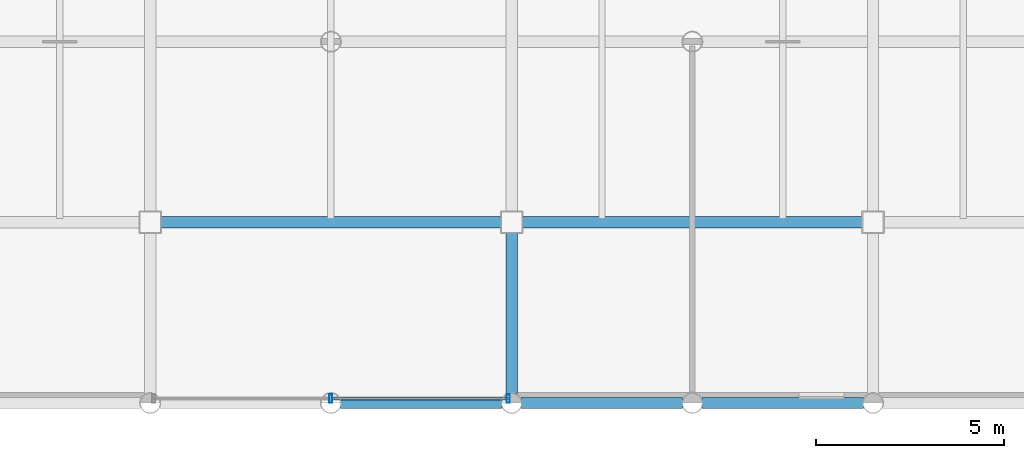
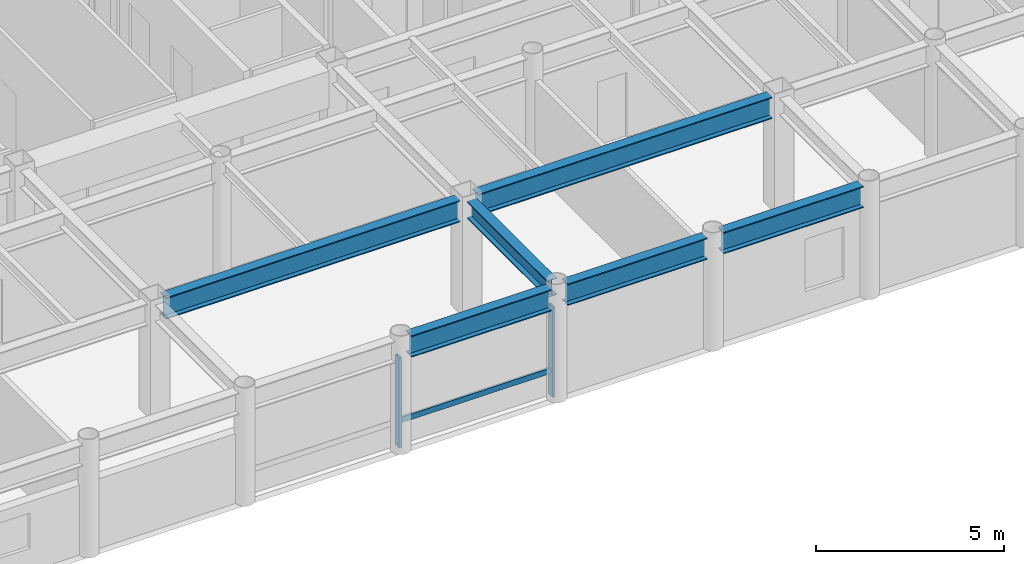
# One storey, part 8 of 22: 6 beams, 3 members, 1 element without a shape of its own.
"""IFC4 building model written with IfcOpenShell, lengths in metres."""

import ifcopenshell
import ifcopenshell.guid

model = None  # the IFC model being written
_history = None  # IfcOwnerHistory: only IFC2X3 demands one
_inside = {}  # id of a spatial element -> (the spatial element, [elements in it])
_under = {}  # id of a project, library or spatial element -> (it, [spatial elements below it])
_declared = {}  # id of a project -> (the project, [libraries it declares])
_typed = {}  # id of a type object -> (the type object, [elements of that type])
_made_of = {}  # id of a material, layer set ... -> (it, [elements and type objects made of it])


def new_model(schema):
    """Start an empty IFC model of exactly this schema.

    Asked for "IFC4X3", IfcOpenShell would pick the latest addendum, in which some entities
    have other attributes; the version numbers below select the first issue.
    IFC2X3 requires an IfcOwnerHistory on every rooted entity: one is made here for all.
    """
    global model, _history
    if schema == "IFC4X3":
        model = ifcopenshell.file(schema_version=(4, 3, 0, 0))
    else:
        model = ifcopenshell.file(schema=schema)
    _inside.clear()
    _under.clear()
    _declared.clear()
    _typed.clear()
    _made_of.clear()
    _history = None
    if model.schema == "IFC2X3":
        org = make("IfcOrganization", Name="unknown")
        user = make(
            "IfcPersonAndOrganization",
            ThePerson=make("IfcPerson", FamilyName="unknown"),
            TheOrganization=org,
        )
        app = make(
            "IfcApplication",
            ApplicationDeveloper=org,
            Version="unknown",
            ApplicationFullName="unknown",
            ApplicationIdentifier="unknown",
        )
        _history = make(
            "IfcOwnerHistory",
            OwningUser=user,
            OwningApplication=app,
            ChangeAction="ADDED",
            CreationDate=0,
        )
    return model


def make(cls, **values):
    """One entity of the class cls with the attributes given. An attribute that is None is left unset."""
    return model.create_entity(
        cls, **{name: value for name, value in values.items() if value is not None}
    )


def rooted(cls, **values):
    """An entity with a GlobalId (a new one), such as an element, a storey or a relation."""
    return make(cls, GlobalId=ifcopenshell.guid.new(), OwnerHistory=_history, **values)


def si_unit(unit_type, name, prefix=None):
    """IfcSIUnit, for example si_unit("LENGTHUNIT", "METRE", prefix="MILLI")."""
    return make("IfcSIUnit", UnitType=unit_type, Prefix=prefix, Name=name)


def assignment(units):
    """IfcUnitAssignment: the units of a project."""
    return None if units is None else make("IfcUnitAssignment", Units=units)


def point(xyz):
    """IfcCartesianPoint."""
    return None if xyz is None else make("IfcCartesianPoint", Coordinates=xyz)


def direction(xyz):
    """IfcDirection."""
    return None if xyz is None else make("IfcDirection", DirectionRatios=xyz)


def frame(location, z_axis=None, x_axis=None):
    """IfcAxis2Placement3D, a coordinate frame: its origin and axes. An axis left out is left unset."""
    return make(
        "IfcAxis2Placement3D",
        Location=point(location),
        Axis=direction(z_axis),
        RefDirection=direction(x_axis),
    )


def frame_2d(location, x_axis=None):
    """IfcAxis2Placement2D, a coordinate frame in the plane: its origin and x axis."""
    return make(
        "IfcAxis2Placement2D", Location=point(location), RefDirection=direction(x_axis)
    )


def origin():
    """The frame at (0, 0, 0) with its axes left unset."""
    return frame((0.0, 0.0, 0.0))


def origin_2d():
    """The frame at (0, 0) in the plane with its x axis left unset."""
    return frame_2d((0.0, 0.0))


def place(relative_to, where):
    """IfcLocalPlacement: puts the frame where relative to a parent placement (None: the world)."""
    return make(
        "IfcLocalPlacement", PlacementRelTo=relative_to, RelativePlacement=where
    )


def context(
    kind, dimensions, precision=None, world=None, true_north=None, identifier=None
):
    """IfcGeometricRepresentationContext, for example the 3D "Model" context."""
    return make(
        "IfcGeometricRepresentationContext",
        ContextIdentifier=identifier,
        ContextType=kind,
        CoordinateSpaceDimension=dimensions,
        Precision=precision,
        WorldCoordinateSystem=world,
        TrueNorth=true_north,
    )


def subcontext(parent, identifier, kind, view, scale=None):
    """IfcGeometricRepresentationSubContext, for example "Body" below "Model"."""
    return make(
        "IfcGeometricRepresentationSubContext",
        ContextIdentifier=identifier,
        ContextType=kind,
        ParentContext=parent,
        TargetScale=scale,
        TargetView=view,
    )


def project(units=None, contexts=None):
    """IfcProject with its units and contexts."""
    return rooted(
        "IfcProject",
        Name="project",
        RepresentationContexts=contexts,
        UnitsInContext=assignment(units),
    )


def spatial(cls, under=None, at=None, **own):
    """A site, building, storey or space (cls), placed at a placement, below another one or the project."""
    s = rooted(cls, ObjectPlacement=at, **own)
    if under is not None:
        _under.setdefault(under.id(), (under, []))[1].append(s)
    return s


def profile(cls, at=None, kind="AREA", **sizes):
    """A parametric profile (cls). Its sizes go by their IFC names, for example OverallWidth=200.0."""
    return make(cls, ProfileType=kind, Position=at, **sizes)


def hollow_rectangle(**sizes):
    """IfcRectangleHollowProfileDef."""
    return profile("IfcRectangleHollowProfileDef", **sizes)


def i_section(**sizes):
    """IfcIShapeProfileDef."""
    return profile("IfcIShapeProfileDef", **sizes)


def extrude(swept, where, along, depth):
    """IfcExtrudedAreaSolid: the profile swept, set in the frame where, extruded along a direction by depth."""
    return make(
        "IfcExtrudedAreaSolid",
        SweptArea=swept,
        Position=where,
        ExtrudedDirection=direction(along),
        Depth=depth,
    )


def shape(context_of_items, identifier, shape_type, items):
    """IfcShapeRepresentation: the items that make up one representation, for example the "Body"."""
    return make(
        "IfcShapeRepresentation",
        ContextOfItems=context_of_items,
        RepresentationIdentifier=identifier,
        RepresentationType=shape_type,
        Items=items,
    )


def material(Name=None, Category=None):
    """IfcMaterial."""
    return make("IfcMaterial", Name=Name, Category=Category)


def layer(
    of_material, thickness, ventilated=None, Name=None, Category=None, Priority=None
):
    """IfcMaterialLayer: one layer of a wall or slab, of a material (None: an air gap)."""
    return make(
        "IfcMaterialLayer",
        Material=of_material,
        LayerThickness=thickness,
        IsVentilated=ventilated,
        Name=Name,
        Category=Category,
        Priority=Priority,
    )


def layer_set(layers, Name=None):
    """IfcMaterialLayerSet."""
    return make("IfcMaterialLayerSet", MaterialLayers=layers, LayerSetName=Name)


def material_profile(
    of_material, cross_section, Name=None, Category=None, Priority=None
):
    """IfcMaterialProfile: a cross section and its material."""
    return make(
        "IfcMaterialProfile",
        Name=Name,
        Material=of_material,
        Profile=cross_section,
        Priority=Priority,
        Category=Category,
    )


def profile_set(profiles, Name=None, composite=None):
    """IfcMaterialProfileSet."""
    return make(
        "IfcMaterialProfileSet",
        Name=Name,
        MaterialProfiles=profiles,
        CompositeProfile=composite,
    )


def made_of(thing, what):
    """Note that an element or type object is made of a material, layer set ...; save() writes the relation."""
    if what is not None:
        _made_of.setdefault(what.id(), (what, []))[1].append(thing)
    return thing


def type_object(cls, material=None, **own):
    """A type object (cls), such as IfcWallType, which elements share."""
    return made_of(rooted(cls, **own), material)


def element(
    cls,
    number,
    at=None,
    inside=None,
    cuts=None,
    type_object=None,
    material=None,
    context=None,
    identifier="Body",
    shape_type=None,
    held_by="IfcProductDefinitionShape",
    body=None,
    shapes=None,
    **own,
):
    """One element of the class cls, such as IfcWall. Its Tag is "e" and its number.

    at: its placement. inside: the storey or other place that contains it. cuts: it is an
    opening in that element (IfcRelVoidsElement). A single representation is given by context,
    identifier, shape_type and body (its items); several are given by shapes. held_by: the class
    of the entity that holds the representations. save() writes the other relations.
    """
    e = rooted(cls, Tag="e%d" % number, ObjectPlacement=at, **own)
    if body is not None:
        shapes = [shape(context, identifier, shape_type, body)]
    if shapes is not None:
        e.Representation = make(held_by, Representations=shapes)
    if inside is not None:
        _inside.setdefault(inside.id(), (inside, []))[1].append(e)
    if cuts is not None:
        rooted(
            "IfcRelVoidsElement", RelatingBuildingElement=cuts, RelatedOpeningElement=e
        )
    if type_object is not None:
        _typed.setdefault(type_object.id(), (type_object, []))[1].append(e)
    return made_of(e, material)


def aggregate(whole, parts):
    """IfcRelAggregates: a whole, such as a stair, and the parts it consists of."""
    return rooted("IfcRelAggregates", RelatingObject=whole, RelatedObjects=parts)


def save(model, path):
    """Write the relations noted so far, then the file.

    IfcRelAggregates (storeys below a building ...), IfcRelContainedInSpatialStructure (elements
    in a storey), IfcRelDefinesByType, IfcRelAssociatesMaterial and IfcRelDeclares: one each for
    every whole, place, type object, material and project.
    """
    for whole, parts in _under.values():
        aggregate(whole, parts)
    for where, things in _inside.values():
        rooted(
            "IfcRelContainedInSpatialStructure",
            RelatedElements=things,
            RelatingStructure=where,
        )
    for kind, things in _typed.values():
        rooted("IfcRelDefinesByType", RelatedObjects=things, RelatingType=kind)
    for what, things in _made_of.values():
        rooted("IfcRelAssociatesMaterial", RelatedObjects=things, RelatingMaterial=what)
    for by, libraries in _declared.values():
        rooted("IfcRelDeclares", RelatingContext=by, RelatedDefinitions=libraries)
    model.write(path)


model = new_model("IFC4")

# Units and contexts
model_context = context("Model", 3, precision=1e-05, world=origin(), true_north=direction((0.0, 1.0)))
body_context = subcontext(model_context, "Body", "Model", "MODEL_VIEW")
ifc_project = project(units=[si_unit("LENGTHUNIT", "METRE"), si_unit("AREAUNIT", "SQUARE_METRE"), si_unit("VOLUMEUNIT", "CUBIC_METRE"), si_unit("PLANEANGLEUNIT", "RADIAN"), si_unit("MASSUNIT", "GRAM", prefix="KILO")], contexts=[model_context])

# Site, building, storey
site_placement = place(None, origin())
site = spatial("IfcSite", under=ifc_project, at=site_placement, CompositionType="ELEMENT")
building_placement = place(site_placement, origin())
building = spatial("IfcBuilding", under=site, at=building_placement, Name="Kallvorn Hotel Tower", CompositionType="ELEMENT")
storey_placement = place(building_placement, frame((0.0, 0.0, 264.64990234375)))
storey = spatial("IfcBuildingStorey", under=building, at=storey_placement, Name="L66", CompositionType="ELEMENT", Elevation=264.64990234375)

# Beams
ifc_material_1 = material(Name="Structural steel S355JR", Category="steel")
ifc_material_profile_1 = material_profile(ifc_material_1, i_section(OverallWidth=0.300048828125, OverallDepth=0.550048828125, WebThickness=0.014892578125, FlangeThickness=0.029052734375, at=origin_2d()), Name="HE 550 B")
ifc_profile_set_1 = profile_set([ifc_material_profile_1], Name="Structural steel S355JR")
beam_type_1 = type_object("IfcBeamType", Name="BM_HE550B", PredefinedType="SPANDREL", material=ifc_profile_set_1)
beam_1_placement = place(storey_placement, frame((4.800048828125, -18.945556640625, 3.39501953125), z_axis=(0.0, 1.0, 0.0), x_axis=(-1.0, 0.0, 0.0)))
element("IfcBeam", 1, at=beam_1_placement, inside=storey, type_object=beam_type_1, Name="L67 Primary Y-Girder 114", PredefinedType="SPANDREL", context=body_context, shape_type="SweptSolid", body=[
    extrude(i_section(OverallWidth=0.300048828125, OverallDepth=0.550048828125, WebThickness=0.014892578125, FlangeThickness=0.029052734375, at=origin_2d()), origin(), (0.0, 0.0, 1.0), 4.2705078125),
])
ifc_material_2 = material(Name="Structural steel S355JR", Category="steel")
ifc_material_profile_2 = material_profile(ifc_material_2, i_section(OverallWidth=0.300048828125, OverallDepth=0.699951171875, WebThickness=0.01708984375, FlangeThickness=0.031982421875, at=origin_2d()), Name="HE 700 B")
ifc_profile_set_2 = profile_set([ifc_material_profile_2], Name="Structural steel S355JR")
beam_type_2 = type_object("IfcBeamType", Name="BM_HE700B", PredefinedType="BEAM", material=ifc_profile_set_2)
for number, where, z_axis, x_axis, name in (
    (2, (0.25439453125, -19.199951171875, 3.320068359375), (1.0, 0.0, 0.0), (0.0, 1.0, 0.0), "L67 Primary X-Girder 07"),
    (3, (5.054443359375, -19.199951171875, 3.320068359375), (1.0, 0.0, 0.0), (0.0, 1.0, 0.0), "L67 Primary X-Girder 08"),
    (4, (9.8544921875, -19.199951171875, 3.320068359375), (1.0, 0.0, 0.0), (0.0, 1.0, 0.0), "L67 Primary X-Girder 09"),
):
    element("IfcBeam", number, at=place(storey_placement, frame(where, z_axis=z_axis, x_axis=x_axis)), inside=storey, type_object=beam_type_2, Name=name, PredefinedType="BEAM", context=body_context, shape_type="SweptSolid", body=[
        extrude(i_section(OverallWidth=0.300048828125, OverallDepth=0.699951171875, WebThickness=0.01708984375, FlangeThickness=0.031982421875, at=origin_2d()), origin(), (0.0, 0.0, 1.0), 4.291015625),
    ])
beam_2_placement = place(storey_placement, frame((-4.52490234375, -14.39990234375, 3.320068359375), z_axis=(1.0, 0.0, 0.0), x_axis=(0.0, 1.0, 0.0)))
element("IfcBeam", 5, at=beam_2_placement, inside=storey, type_object=beam_type_2, Name="L67 Primary X-Girder 18", PredefinedType="BEAM", context=body_context, shape_type="SweptSolid", body=[
    extrude(i_section(OverallWidth=0.300048828125, OverallDepth=0.699951171875, WebThickness=0.01708984375, FlangeThickness=0.031982421875, at=origin_2d()), origin(), (0.0, 0.0, 1.0), 9.0498046875),
])
beam_3_placement = place(storey_placement, frame((5.074951171875, -14.39990234375, 3.320068359375), z_axis=(1.0, 0.0, 0.0), x_axis=(0.0, 1.0, 0.0)))
element("IfcBeam", 6, at=beam_3_placement, inside=storey, type_object=beam_type_2, Name="L67 Primary X-Girder 19", PredefinedType="BEAM", context=body_context, shape_type="SweptSolid", body=[
    extrude(i_section(OverallWidth=0.300048828125, OverallDepth=0.699951171875, WebThickness=0.01708984375, FlangeThickness=0.031982421875, at=origin_2d()), origin(), (0.0, 0.0, 1.0), 9.050048828125),
])

# Curtain wall, members
ifc_material_3 = material(Name="Thermally broken black-anodised aluminium AA 6063-T6", Category="aluminium")
ifc_layer = layer(ifc_material_3, 0.22998046875)
ifc_layer_set = layer_set([ifc_layer], Name="CW_SYS_5_HOTEL_HIGH")
curtain_wall_type = type_object("IfcCurtainWallType", Name="CW_SYS_5_HOTEL_HIGH", PredefinedType="USERDEFINED", material=ifc_layer_set)
curtain_wall_placement = place(storey_placement, origin())
curtain_wall = element("IfcCurtainWall", 7, at=curtain_wall_placement, inside=storey, type_object=curtain_wall_type, Name="L66 Dark-Glass Curtain Wall CW-L66-SC", ObjectType="UNITISED CURTAIN WALL", PredefinedType="USERDEFINED")
ifc_material_4 = material(Name="Thermally broken black-anodised aluminium AA 6063-T6", Category="aluminium")
ifc_material_profile_3 = material_profile(ifc_material_4, hollow_rectangle(XDim=0.080078125, YDim=0.219970703125, WallThickness=0.0048828125, at=origin_2d()), Name="MUL 220x80")
ifc_profile_set_3 = profile_set([ifc_material_profile_3], Name="Thermally broken black-anodised aluminium AA 6063-T6")
member_type_1 = type_object("IfcMemberType", Name="CW_MULLION_220x80", PredefinedType="MULLION", material=ifc_profile_set_3)
member_1_placement = place(storey_placement, frame((0.0, -19.080078125, 0.02001953125), z_axis=(0.0, 0.0, 1.0), x_axis=(1.0, 0.0, 0.0)))
member_1 = element("IfcMember", 8, at=member_1_placement, type_object=member_type_1, Name="CW-L66-SC Mullion 01", PredefinedType="MULLION", context=body_context, shape_type="SweptSolid", body=[
    extrude(hollow_rectangle(XDim=0.080078125, YDim=0.219970703125, WallThickness=0.0048828125, at=origin_2d()), origin(), (0.0, 0.0, 1.0), 2.93017578125),
])
member_2_placement = place(storey_placement, frame((4.7099609375, -19.080078125, 0.02001953125), z_axis=(0.0, 0.0, 1.0), x_axis=(1.0, 0.0, 0.0)))
member_2 = element("IfcMember", 9, at=member_2_placement, type_object=member_type_1, Name="CW-L66-SC Mullion 02", PredefinedType="MULLION", context=body_context, shape_type="SweptSolid", body=[
    extrude(hollow_rectangle(XDim=0.080078125, YDim=0.219970703125, WallThickness=0.0048828125, at=origin_2d()), origin(), (0.0, 0.0, 1.0), 2.93017578125),
])
ifc_material_5 = material(Name="Thermally broken black-anodised aluminium AA 6063-T6", Category="aluminium")
ifc_material_profile_4 = material_profile(ifc_material_5, hollow_rectangle(XDim=0.070068359375, YDim=0.179931640625, WallThickness=0.00390625, at=origin_2d()), Name="TRN 180x70")
ifc_profile_set_4 = profile_set([ifc_material_profile_4], Name="Thermally broken black-anodised aluminium AA 6063-T6")
member_type_2 = type_object("IfcMemberType", Name="CW_TRANSOM_180x70", PredefinedType="USERDEFINED", material=ifc_profile_set_4)
member_3_placement = place(storey_placement, frame((0.0400390625, -19.080078125, 0.85009765625), z_axis=(1.0, 0.0, 0.0), x_axis=(0.0, 1.0, 0.0)))
member_3 = element("IfcMember", 10, at=member_3_placement, type_object=member_type_2, Name="CW-L66-SC Transom 01M", ObjectType="TRANSOM", PredefinedType="USERDEFINED", context=body_context, shape_type="SweptSolid", body=[
    extrude(hollow_rectangle(XDim=0.070068359375, YDim=0.179931640625, WallThickness=0.00390625, at=origin_2d()), origin(), (0.0, 0.0, 1.0), 4.669921875),
])
aggregate(curtain_wall, [member_1, member_2, member_3])

save(model, "model.ifc")
